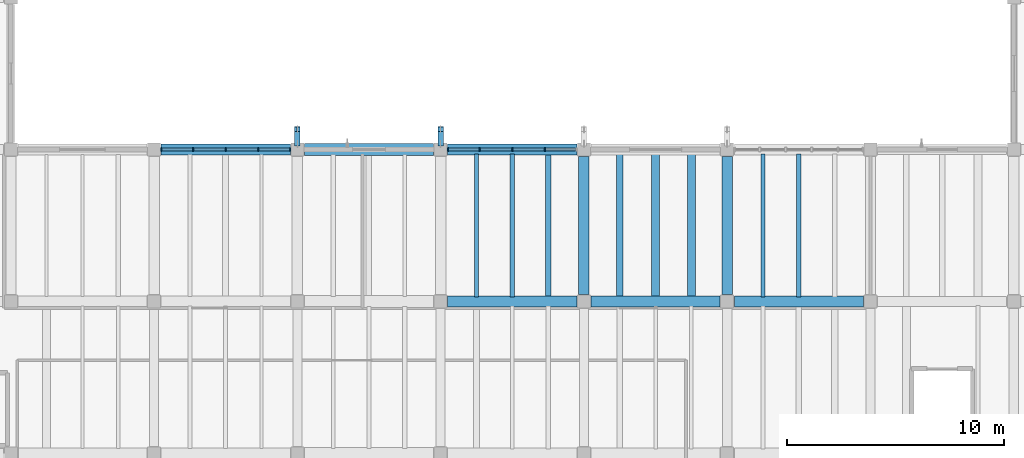
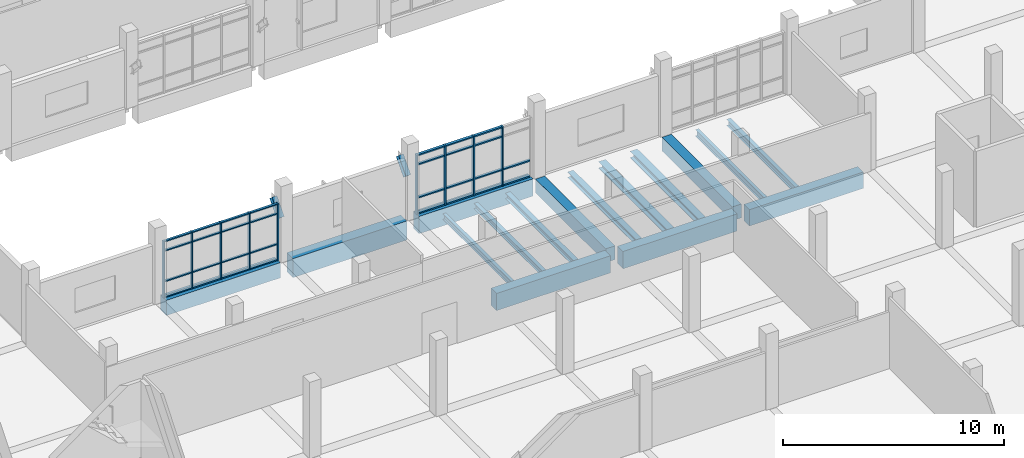
# One storey, part 18 of 68: 41 members, 16 beams, 2 elements without a shape of their own.
"""IFC4 building model written with IfcOpenShell, lengths in metres."""

from ifc_helpers import new_model, si_unit, direction, frame, origin, origin_2d, place, context, subcontext, project, spatial, rectangle, i_section, extrude, material, material_profile, profile_set, type_object, element, aggregate, save


model = new_model("IFC4")

# Units and contexts
model_context = context("Model", 3, precision=1e-05, world=origin(), true_north=direction((0.0, 1.0)))
body_context = subcontext(model_context, "Body", "Model", "MODEL_VIEW")
ifc_project = project(units=[si_unit("LENGTHUNIT", "METRE"), si_unit("AREAUNIT", "SQUARE_METRE"), si_unit("VOLUMEUNIT", "CUBIC_METRE"), si_unit("PLANEANGLEUNIT", "RADIAN"), si_unit("MASSUNIT", "GRAM", prefix="KILO")], contexts=[model_context])

# Site, building, storey
site_placement = place(None, origin())
site = spatial("IfcSite", under=ifc_project, at=site_placement, CompositionType="ELEMENT")
building_placement = place(site_placement, origin())
building = spatial("IfcBuilding", under=site, at=building_placement, Name="Ciguamira Faculty of Natural Sciences", CompositionType="ELEMENT")
storey_placement = place(building_placement, frame((0.0, 0.0, 4.199951171875)))
storey = spatial("IfcBuildingStorey", under=building, at=storey_placement, Name="L01", CompositionType="ELEMENT", Elevation=4.199951171875)

# Curtain wall, members
ifc_material_1 = material(Name="Anodized aluminium curtain wall", Category="aluminium")
curtain_wall_type_1 = type_object("IfcCurtainWallType", Name="CurtainWall_CW-01", PredefinedType="USERDEFINED", material=ifc_material_1)
curtain_wall_1_placement = place(storey_placement, origin())
curtain_wall_1 = element("IfcCurtainWall", 1, at=curtain_wall_1_placement, inside=storey, type_object=curtain_wall_type_1, Name="L01 unitised curtain wall 0037", ObjectType="UNITISED CURTAIN WALL", PredefinedType="USERDEFINED")
ifc_material_2 = material(Name="Anodized aluminium mullion", Category="aluminium")
ifc_material_profile_1 = material_profile(ifc_material_2, rectangle(XDim=0.06005859375, YDim=0.159912109375, at=origin_2d()), Name="ALU-MUL-60X160")
ifc_profile_set_1 = profile_set([ifc_material_profile_1], Name="Anodized aluminium mullion")
member_type_1 = type_object("IfcMemberType", Name="CWMullion_CWM-01", PredefinedType="MULLION", material=ifc_profile_set_1)
member_1_placement = place(storey_placement, frame((70.830078125, 59.0, 0.0), z_axis=(0.0, 0.0, 1.0), x_axis=(1.0, 0.0, 0.0)))
member_1 = element("IfcMember", 2, at=member_1_placement, type_object=member_type_1, Name="CW-01 mullion 1", PredefinedType="MULLION", context=body_context, shape_type="SweptSolid", body=[
    extrude(rectangle(XDim=0.06005859375, YDim=0.159912109375, at=origin_2d()), origin(), (0.0, 0.0, 1.0), 3.135009765625),
])
member_2_placement = place(storey_placement, frame((72.300048828125, 59.0, 0.0), z_axis=(0.0, 0.0, 1.0), x_axis=(1.0, 0.0, 0.0)))
member_2 = element("IfcMember", 3, at=member_2_placement, type_object=member_type_1, Name="CW-01 mullion 2", PredefinedType="MULLION", context=body_context, shape_type="SweptSolid", body=[
    extrude(rectangle(XDim=0.06005859375, YDim=0.159912109375, at=origin_2d()), origin(), (0.0, 0.0, 1.0), 3.135009765625),
])
member_3_placement = place(storey_placement, frame((73.800048828125, 59.0, 0.0), z_axis=(0.0, 0.0, 1.0), x_axis=(1.0, 0.0, 0.0)))
member_3 = element("IfcMember", 4, at=member_3_placement, type_object=member_type_1, Name="CW-01 mullion 3", PredefinedType="MULLION", context=body_context, shape_type="SweptSolid", body=[
    extrude(rectangle(XDim=0.06005859375, YDim=0.159912109375, at=origin_2d()), origin(), (0.0, 0.0, 1.0), 3.135009765625),
])
member_4_placement = place(storey_placement, frame((75.300048828125, 59.0, 0.0), z_axis=(0.0, 0.0, 1.0), x_axis=(1.0, 0.0, 0.0)))
member_4 = element("IfcMember", 5, at=member_4_placement, type_object=member_type_1, Name="CW-01 mullion 4", PredefinedType="MULLION", context=body_context, shape_type="SweptSolid", body=[
    extrude(rectangle(XDim=0.06005859375, YDim=0.159912109375, at=origin_2d()), origin(), (0.0, 0.0, 1.0), 3.135009765625),
])
member_5_placement = place(storey_placement, frame((76.77001953125, 59.0, 0.0), z_axis=(0.0, 0.0, 1.0), x_axis=(1.0, 0.0, 0.0)))
member_5 = element("IfcMember", 6, at=member_5_placement, type_object=member_type_1, Name="CW-01 mullion 5", PredefinedType="MULLION", context=body_context, shape_type="SweptSolid", body=[
    extrude(rectangle(XDim=0.06005859375, YDim=0.159912109375, at=origin_2d()), origin(), (0.0, 0.0, 1.0), 3.135009765625),
])

curtain_wall_type_2 = type_object("IfcCurtainWallType", Name="CurtainWall_CW-02", PredefinedType="USERDEFINED", material=ifc_material_1)
curtain_wall_2_placement = place(storey_placement, origin())
curtain_wall_2 = element("IfcCurtainWall", 7, at=curtain_wall_2_placement, inside=storey, type_object=curtain_wall_type_2, Name="L01 unitised curtain wall 0038", ObjectType="UNITISED CURTAIN WALL", PredefinedType="USERDEFINED")
ifc_material_profile_2 = material_profile(ifc_material_2, rectangle(XDim=0.070068359375, YDim=0.179931640625, at=origin_2d()), Name="ALU-MUL-70X180")
ifc_profile_set_2 = profile_set([ifc_material_profile_2], Name="Anodized aluminium mullion")
member_type_2 = type_object("IfcMemberType", Name="CWMullion_CWM-02", PredefinedType="MULLION", material=ifc_profile_set_2)
member_6_placement = place(storey_placement, frame((84.034912109375, 59.0, 0.0), z_axis=(0.0, 0.0, 1.0), x_axis=(1.0, 0.0, 0.0)))
member_6 = element("IfcMember", 8, at=member_6_placement, type_object=member_type_2, Name="CW-02 mullion 1", PredefinedType="MULLION", context=body_context, shape_type="SweptSolid", body=[
    extrude(rectangle(XDim=0.070068359375, YDim=0.179931640625, at=origin_2d()), origin(), (0.0, 0.0, 1.0), 3.28515625),
])
member_7_placement = place(storey_placement, frame((85.5, 59.0, 0.0), z_axis=(0.0, 0.0, 1.0), x_axis=(1.0, 0.0, 0.0)))
member_7 = element("IfcMember", 9, at=member_7_placement, type_object=member_type_2, Name="CW-02 mullion 2", PredefinedType="MULLION", context=body_context, shape_type="SweptSolid", body=[
    extrude(rectangle(XDim=0.070068359375, YDim=0.179931640625, at=origin_2d()), origin(), (0.0, 0.0, 1.0), 3.28515625),
])
member_8_placement = place(storey_placement, frame((87.0, 59.0, 0.0), z_axis=(0.0, 0.0, 1.0), x_axis=(1.0, 0.0, 0.0)))
member_8 = element("IfcMember", 10, at=member_8_placement, type_object=member_type_2, Name="CW-02 mullion 3", PredefinedType="MULLION", context=body_context, shape_type="SweptSolid", body=[
    extrude(rectangle(XDim=0.070068359375, YDim=0.179931640625, at=origin_2d()), origin(), (0.0, 0.0, 1.0), 3.28515625),
])
member_9_placement = place(storey_placement, frame((88.5, 59.0, 0.0), z_axis=(0.0, 0.0, 1.0), x_axis=(1.0, 0.0, 0.0)))
member_9 = element("IfcMember", 11, at=member_9_placement, type_object=member_type_2, Name="CW-02 mullion 4", PredefinedType="MULLION", context=body_context, shape_type="SweptSolid", body=[
    extrude(rectangle(XDim=0.070068359375, YDim=0.179931640625, at=origin_2d()), origin(), (0.0, 0.0, 1.0), 3.28515625),
])

# Member
ifc_material_3 = material(Name="Anodized aluminium transom", Category="aluminium")
ifc_material_profile_3 = material_profile(ifc_material_3, rectangle(XDim=0.06005859375, YDim=0.1201171875, at=origin_2d()), Name="ALU-TRN-60X120")
ifc_profile_set_3 = profile_set([ifc_material_profile_3], Name="Anodized aluminium transom")
member_type_3 = type_object("IfcMemberType", Name="CWTransom_CWT-01", PredefinedType="USERDEFINED", material=ifc_profile_set_3)
member_10_placement = place(storey_placement, frame((70.860107421875, 59.0, 0.030029296875), z_axis=(1.0, 0.0, 0.0), x_axis=(0.0, 0.0, 1.0)))
member_10 = element("IfcMember", 12, at=member_10_placement, type_object=member_type_3, Name="CW-01 transom 1.1", ObjectType="TRANSOM", PredefinedType="USERDEFINED", context=body_context, shape_type="SweptSolid", body=[
    extrude(rectangle(XDim=0.06005859375, YDim=0.1201171875, at=origin_2d()), origin(), (0.0, 0.0, 1.0), 1.409912109375),
])

member_11_placement = place(storey_placement, frame((70.860107421875, 59.0, 0.900146484375), z_axis=(1.0, 0.0, 0.0), x_axis=(0.0, 0.0, 1.0)))
member_11 = element("IfcMember", 13, at=member_11_placement, type_object=member_type_3, Name="CW-01 transom 1.2", ObjectType="TRANSOM", PredefinedType="USERDEFINED", context=body_context, shape_type="SweptSolid", body=[
    extrude(rectangle(XDim=0.06005859375, YDim=0.1201171875, at=origin_2d()), origin(), (0.0, 0.0, 1.0), 1.409912109375),
])

member_12_placement = place(storey_placement, frame((70.860107421875, 59.0, 2.5849609375), z_axis=(1.0, 0.0, 0.0), x_axis=(0.0, 0.0, 1.0)))
member_12 = element("IfcMember", 14, at=member_12_placement, type_object=member_type_3, Name="CW-01 transom 1.3", ObjectType="TRANSOM", PredefinedType="USERDEFINED", context=body_context, shape_type="SweptSolid", body=[
    extrude(rectangle(XDim=0.06005859375, YDim=0.1201171875, at=origin_2d()), origin(), (0.0, 0.0, 1.0), 1.409912109375),
])

member_13_placement = place(storey_placement, frame((70.860107421875, 59.0, 3.10498046875), z_axis=(1.0, 0.0, 0.0), x_axis=(0.0, 0.0, 1.0)))
member_13 = element("IfcMember", 15, at=member_13_placement, type_object=member_type_3, Name="CW-01 transom 1.4", ObjectType="TRANSOM", PredefinedType="USERDEFINED", context=body_context, shape_type="SweptSolid", body=[
    extrude(rectangle(XDim=0.06005859375, YDim=0.1201171875, at=origin_2d()), origin(), (0.0, 0.0, 1.0), 1.409912109375),
])

member_14_placement = place(storey_placement, frame((72.330078125, 59.0, 0.030029296875), z_axis=(1.0, 0.0, 0.0), x_axis=(0.0, 0.0, 1.0)))
member_14 = element("IfcMember", 16, at=member_14_placement, type_object=member_type_3, Name="CW-01 transom 2.1", ObjectType="TRANSOM", PredefinedType="USERDEFINED", context=body_context, shape_type="SweptSolid", body=[
    extrude(rectangle(XDim=0.06005859375, YDim=0.1201171875, at=origin_2d()), origin(), (0.0, 0.0, 1.0), 1.43994140625),
])

member_15_placement = place(storey_placement, frame((72.330078125, 59.0, 0.900146484375), z_axis=(1.0, 0.0, 0.0), x_axis=(0.0, 0.0, 1.0)))
member_15 = element("IfcMember", 17, at=member_15_placement, type_object=member_type_3, Name="CW-01 transom 2.2", ObjectType="TRANSOM", PredefinedType="USERDEFINED", context=body_context, shape_type="SweptSolid", body=[
    extrude(rectangle(XDim=0.06005859375, YDim=0.1201171875, at=origin_2d()), origin(), (0.0, 0.0, 1.0), 1.43994140625),
])

member_16_placement = place(storey_placement, frame((72.330078125, 59.0, 2.5849609375), z_axis=(1.0, 0.0, 0.0), x_axis=(0.0, 0.0, 1.0)))
member_16 = element("IfcMember", 18, at=member_16_placement, type_object=member_type_3, Name="CW-01 transom 2.3", ObjectType="TRANSOM", PredefinedType="USERDEFINED", context=body_context, shape_type="SweptSolid", body=[
    extrude(rectangle(XDim=0.06005859375, YDim=0.1201171875, at=origin_2d()), origin(), (0.0, 0.0, 1.0), 1.43994140625),
])

member_17_placement = place(storey_placement, frame((72.330078125, 59.0, 3.10498046875), z_axis=(1.0, 0.0, 0.0), x_axis=(0.0, 0.0, 1.0)))
member_17 = element("IfcMember", 19, at=member_17_placement, type_object=member_type_3, Name="CW-01 transom 2.4", ObjectType="TRANSOM", PredefinedType="USERDEFINED", context=body_context, shape_type="SweptSolid", body=[
    extrude(rectangle(XDim=0.06005859375, YDim=0.1201171875, at=origin_2d()), origin(), (0.0, 0.0, 1.0), 1.43994140625),
])

member_18_placement = place(storey_placement, frame((73.830078125, 59.0, 0.030029296875), z_axis=(1.0, 0.0, 0.0), x_axis=(0.0, 0.0, 1.0)))
member_18 = element("IfcMember", 20, at=member_18_placement, type_object=member_type_3, Name="CW-01 transom 3.1", ObjectType="TRANSOM", PredefinedType="USERDEFINED", context=body_context, shape_type="SweptSolid", body=[
    extrude(rectangle(XDim=0.06005859375, YDim=0.1201171875, at=origin_2d()), origin(), (0.0, 0.0, 1.0), 1.43994140625),
])

member_19_placement = place(storey_placement, frame((73.830078125, 59.0, 0.900146484375), z_axis=(1.0, 0.0, 0.0), x_axis=(0.0, 0.0, 1.0)))
member_19 = element("IfcMember", 21, at=member_19_placement, type_object=member_type_3, Name="CW-01 transom 3.2", ObjectType="TRANSOM", PredefinedType="USERDEFINED", context=body_context, shape_type="SweptSolid", body=[
    extrude(rectangle(XDim=0.06005859375, YDim=0.1201171875, at=origin_2d()), origin(), (0.0, 0.0, 1.0), 1.43994140625),
])

member_20_placement = place(storey_placement, frame((73.830078125, 59.0, 2.5849609375), z_axis=(1.0, 0.0, 0.0), x_axis=(0.0, 0.0, 1.0)))
member_20 = element("IfcMember", 22, at=member_20_placement, type_object=member_type_3, Name="CW-01 transom 3.3", ObjectType="TRANSOM", PredefinedType="USERDEFINED", context=body_context, shape_type="SweptSolid", body=[
    extrude(rectangle(XDim=0.06005859375, YDim=0.1201171875, at=origin_2d()), origin(), (0.0, 0.0, 1.0), 1.43994140625),
])

member_21_placement = place(storey_placement, frame((73.830078125, 59.0, 3.10498046875), z_axis=(1.0, 0.0, 0.0), x_axis=(0.0, 0.0, 1.0)))
member_21 = element("IfcMember", 23, at=member_21_placement, type_object=member_type_3, Name="CW-01 transom 3.4", ObjectType="TRANSOM", PredefinedType="USERDEFINED", context=body_context, shape_type="SweptSolid", body=[
    extrude(rectangle(XDim=0.06005859375, YDim=0.1201171875, at=origin_2d()), origin(), (0.0, 0.0, 1.0), 1.43994140625),
])

member_22_placement = place(storey_placement, frame((75.330078125, 59.0, 0.030029296875), z_axis=(1.0, 0.0, 0.0), x_axis=(0.0, 0.0, 1.0)))
member_22 = element("IfcMember", 24, at=member_22_placement, type_object=member_type_3, Name="CW-01 transom 4.1", ObjectType="TRANSOM", PredefinedType="USERDEFINED", context=body_context, shape_type="SweptSolid", body=[
    extrude(rectangle(XDim=0.06005859375, YDim=0.1201171875, at=origin_2d()), origin(), (0.0, 0.0, 1.0), 1.409912109375),
])

member_23_placement = place(storey_placement, frame((75.330078125, 59.0, 0.900146484375), z_axis=(1.0, 0.0, 0.0), x_axis=(0.0, 0.0, 1.0)))
member_23 = element("IfcMember", 25, at=member_23_placement, type_object=member_type_3, Name="CW-01 transom 4.2", ObjectType="TRANSOM", PredefinedType="USERDEFINED", context=body_context, shape_type="SweptSolid", body=[
    extrude(rectangle(XDim=0.06005859375, YDim=0.1201171875, at=origin_2d()), origin(), (0.0, 0.0, 1.0), 1.409912109375),
])

member_24_placement = place(storey_placement, frame((75.330078125, 59.0, 2.5849609375), z_axis=(1.0, 0.0, 0.0), x_axis=(0.0, 0.0, 1.0)))
member_24 = element("IfcMember", 26, at=member_24_placement, type_object=member_type_3, Name="CW-01 transom 4.3", ObjectType="TRANSOM", PredefinedType="USERDEFINED", context=body_context, shape_type="SweptSolid", body=[
    extrude(rectangle(XDim=0.06005859375, YDim=0.1201171875, at=origin_2d()), origin(), (0.0, 0.0, 1.0), 1.409912109375),
])

member_25_placement = place(storey_placement, frame((75.330078125, 59.0, 3.10498046875), z_axis=(1.0, 0.0, 0.0), x_axis=(0.0, 0.0, 1.0)))
member_25 = element("IfcMember", 27, at=member_25_placement, type_object=member_type_3, Name="CW-01 transom 4.4", ObjectType="TRANSOM", PredefinedType="USERDEFINED", context=body_context, shape_type="SweptSolid", body=[
    extrude(rectangle(XDim=0.06005859375, YDim=0.1201171875, at=origin_2d()), origin(), (0.0, 0.0, 1.0), 1.409912109375),
])

aggregate(curtain_wall_1, [member_1, member_2, member_3, member_4, member_5, member_10, member_11, member_12, member_13, member_14, member_15, member_16, member_17, member_18, member_19, member_20, member_21, member_22, member_23, member_24, member_25])

ifc_material_profile_4 = material_profile(ifc_material_3, rectangle(XDim=0.070068359375, YDim=0.139892578125, at=origin_2d()), Name="ALU-TRN-70X140")
ifc_profile_set_4 = profile_set([ifc_material_profile_4], Name="Anodized aluminium transom")
member_type_4 = type_object("IfcMemberType", Name="CWTransom_CWT-02", PredefinedType="USERDEFINED", material=ifc_profile_set_4)
member_26_placement = place(storey_placement, frame((84.070068359375, 59.0, 0.03515625), z_axis=(1.0, 0.0, 0.0), x_axis=(0.0, 0.0, 1.0)))
member_26 = element("IfcMember", 28, at=member_26_placement, type_object=member_type_4, Name="CW-02 transom 1.1", ObjectType="TRANSOM", PredefinedType="USERDEFINED", context=body_context, shape_type="SweptSolid", body=[
    extrude(rectangle(XDim=0.070068359375, YDim=0.139892578125, at=origin_2d()), origin(), (0.0, 0.0, 1.0), 1.39501953125),
])

member_27_placement = place(storey_placement, frame((84.070068359375, 59.0, 0.900146484375), z_axis=(1.0, 0.0, 0.0), x_axis=(0.0, 0.0, 1.0)))
member_27 = element("IfcMember", 29, at=member_27_placement, type_object=member_type_4, Name="CW-02 transom 1.2", ObjectType="TRANSOM", PredefinedType="USERDEFINED", context=body_context, shape_type="SweptSolid", body=[
    extrude(rectangle(XDim=0.070068359375, YDim=0.139892578125, at=origin_2d()), origin(), (0.0, 0.0, 1.0), 1.39501953125),
])

member_28_placement = place(storey_placement, frame((84.070068359375, 59.0, 2.735107421875), z_axis=(1.0, 0.0, 0.0), x_axis=(0.0, 0.0, 1.0)))
member_28 = element("IfcMember", 30, at=member_28_placement, type_object=member_type_4, Name="CW-02 transom 1.3", ObjectType="TRANSOM", PredefinedType="USERDEFINED", context=body_context, shape_type="SweptSolid", body=[
    extrude(rectangle(XDim=0.070068359375, YDim=0.139892578125, at=origin_2d()), origin(), (0.0, 0.0, 1.0), 1.39501953125),
])

member_29_placement = place(storey_placement, frame((84.070068359375, 59.0, 3.25), z_axis=(1.0, 0.0, 0.0), x_axis=(0.0, 0.0, 1.0)))
member_29 = element("IfcMember", 31, at=member_29_placement, type_object=member_type_4, Name="CW-02 transom 1.4", ObjectType="TRANSOM", PredefinedType="USERDEFINED", context=body_context, shape_type="SweptSolid", body=[
    extrude(rectangle(XDim=0.070068359375, YDim=0.139892578125, at=origin_2d()), origin(), (0.0, 0.0, 1.0), 1.39501953125),
])

member_30_placement = place(storey_placement, frame((85.534912109375, 59.0, 0.03515625), z_axis=(1.0, 0.0, 0.0), x_axis=(0.0, 0.0, 1.0)))
member_30 = element("IfcMember", 32, at=member_30_placement, type_object=member_type_4, Name="CW-02 transom 2.1", ObjectType="TRANSOM", PredefinedType="USERDEFINED", context=body_context, shape_type="SweptSolid", body=[
    extrude(rectangle(XDim=0.070068359375, YDim=0.139892578125, at=origin_2d()), origin(), (0.0, 0.0, 1.0), 1.43017578125),
])

member_31_placement = place(storey_placement, frame((85.534912109375, 59.0, 0.900146484375), z_axis=(1.0, 0.0, 0.0), x_axis=(0.0, 0.0, 1.0)))
member_31 = element("IfcMember", 33, at=member_31_placement, type_object=member_type_4, Name="CW-02 transom 2.2", ObjectType="TRANSOM", PredefinedType="USERDEFINED", context=body_context, shape_type="SweptSolid", body=[
    extrude(rectangle(XDim=0.070068359375, YDim=0.139892578125, at=origin_2d()), origin(), (0.0, 0.0, 1.0), 1.43017578125),
])

member_32_placement = place(storey_placement, frame((85.534912109375, 59.0, 2.735107421875), z_axis=(1.0, 0.0, 0.0), x_axis=(0.0, 0.0, 1.0)))
member_32 = element("IfcMember", 34, at=member_32_placement, type_object=member_type_4, Name="CW-02 transom 2.3", ObjectType="TRANSOM", PredefinedType="USERDEFINED", context=body_context, shape_type="SweptSolid", body=[
    extrude(rectangle(XDim=0.070068359375, YDim=0.139892578125, at=origin_2d()), origin(), (0.0, 0.0, 1.0), 1.43017578125),
])

member_33_placement = place(storey_placement, frame((85.534912109375, 59.0, 3.25), z_axis=(1.0, 0.0, 0.0), x_axis=(0.0, 0.0, 1.0)))
member_33 = element("IfcMember", 35, at=member_33_placement, type_object=member_type_4, Name="CW-02 transom 2.4", ObjectType="TRANSOM", PredefinedType="USERDEFINED", context=body_context, shape_type="SweptSolid", body=[
    extrude(rectangle(XDim=0.070068359375, YDim=0.139892578125, at=origin_2d()), origin(), (0.0, 0.0, 1.0), 1.43017578125),
])

member_34_placement = place(storey_placement, frame((87.034912109375, 59.0, 0.03515625), z_axis=(1.0, 0.0, 0.0), x_axis=(0.0, 0.0, 1.0)))
member_34 = element("IfcMember", 36, at=member_34_placement, type_object=member_type_4, Name="CW-02 transom 3.1", ObjectType="TRANSOM", PredefinedType="USERDEFINED", context=body_context, shape_type="SweptSolid", body=[
    extrude(rectangle(XDim=0.070068359375, YDim=0.139892578125, at=origin_2d()), origin(), (0.0, 0.0, 1.0), 1.43017578125),
])

member_35_placement = place(storey_placement, frame((87.034912109375, 59.0, 0.900146484375), z_axis=(1.0, 0.0, 0.0), x_axis=(0.0, 0.0, 1.0)))
member_35 = element("IfcMember", 37, at=member_35_placement, type_object=member_type_4, Name="CW-02 transom 3.2", ObjectType="TRANSOM", PredefinedType="USERDEFINED", context=body_context, shape_type="SweptSolid", body=[
    extrude(rectangle(XDim=0.070068359375, YDim=0.139892578125, at=origin_2d()), origin(), (0.0, 0.0, 1.0), 1.43017578125),
])

member_36_placement = place(storey_placement, frame((87.034912109375, 59.0, 2.735107421875), z_axis=(1.0, 0.0, 0.0), x_axis=(0.0, 0.0, 1.0)))
member_36 = element("IfcMember", 38, at=member_36_placement, type_object=member_type_4, Name="CW-02 transom 3.3", ObjectType="TRANSOM", PredefinedType="USERDEFINED", context=body_context, shape_type="SweptSolid", body=[
    extrude(rectangle(XDim=0.070068359375, YDim=0.139892578125, at=origin_2d()), origin(), (0.0, 0.0, 1.0), 1.43017578125),
])

member_37_placement = place(storey_placement, frame((87.034912109375, 59.0, 3.25), z_axis=(1.0, 0.0, 0.0), x_axis=(0.0, 0.0, 1.0)))
member_37 = element("IfcMember", 39, at=member_37_placement, type_object=member_type_4, Name="CW-02 transom 3.4", ObjectType="TRANSOM", PredefinedType="USERDEFINED", context=body_context, shape_type="SweptSolid", body=[
    extrude(rectangle(XDim=0.070068359375, YDim=0.139892578125, at=origin_2d()), origin(), (0.0, 0.0, 1.0), 1.43017578125),
])

member_38_placement = place(storey_placement, frame((88.534912109375, 59.0, 0.03515625), z_axis=(1.0, 0.0, 0.0), x_axis=(0.0, 0.0, 1.0)))
member_38 = element("IfcMember", 40, at=member_38_placement, type_object=member_type_4, Name="CW-02 transom 4.1", ObjectType="TRANSOM", PredefinedType="USERDEFINED", context=body_context, shape_type="SweptSolid", body=[
    extrude(rectangle(XDim=0.070068359375, YDim=0.139892578125, at=origin_2d()), origin(), (0.0, 0.0, 1.0), 1.39501953125),
])

member_39_placement = place(storey_placement, frame((88.534912109375, 59.0, 0.900146484375), z_axis=(1.0, 0.0, 0.0), x_axis=(0.0, 0.0, 1.0)))
member_39 = element("IfcMember", 41, at=member_39_placement, type_object=member_type_4, Name="CW-02 transom 4.2", ObjectType="TRANSOM", PredefinedType="USERDEFINED", context=body_context, shape_type="SweptSolid", body=[
    extrude(rectangle(XDim=0.070068359375, YDim=0.139892578125, at=origin_2d()), origin(), (0.0, 0.0, 1.0), 1.39501953125),
])

aggregate(curtain_wall_2, [member_6, member_7, member_8, member_9, member_26, member_27, member_28, member_29, member_30, member_31, member_32, member_33, member_34, member_35, member_36, member_37, member_38, member_39])

# Beams
ifc_material_4 = material(Name="Concrete C40/50", Category="concrete")
ifc_material_profile_5 = material_profile(ifc_material_4, rectangle(XDim=0.550048828125, YDim=1.050048828125, at=origin_2d()), Name="RC-BM-550X1050")
ifc_profile_set_5 = profile_set([ifc_material_profile_5], Name="Concrete C40/50")
beam_type_1 = type_object("IfcBeamType", Name="RCBeam_BG-01_RC-BM-550X1050", PredefinedType="BEAM", material=ifc_profile_set_5)
beam_1_placement = place(storey_placement, frame((77.425048828125, 59.0, -0.52490234375), z_axis=(1.0, 0.0, 0.0), x_axis=(0.0, 1.0, 0.0)))
element("IfcBeam", 42, at=beam_1_placement, inside=storey, type_object=beam_type_1, Name="L01 RC girder EW-0478", PredefinedType="BEAM", context=body_context, shape_type="SweptSolid", body=[
    extrude(rectangle(XDim=0.550048828125, YDim=1.050048828125, at=origin_2d()), origin(), (0.0, 0.0, 1.0), 5.949951171875),
])
ifc_material_profile_6 = material_profile(ifc_material_4, rectangle(XDim=0.5, YDim=0.949951171875, at=origin_2d()), Name="RC-BM-500X950")
ifc_profile_set_6 = profile_set([ifc_material_profile_6], Name="Concrete C40/50")
beam_type_2 = type_object("IfcBeamType", Name="RCBeam_BG-02_RC-BM-500X950", PredefinedType="BEAM", material=ifc_profile_set_6)
beam_2_placement = place(storey_placement, frame((84.02490234375, 52.0, -0.474853515625), z_axis=(1.0, 0.0, 0.0), x_axis=(0.0, 1.0, 0.0)))
element("IfcBeam", 43, at=beam_2_placement, inside=storey, type_object=beam_type_2, Name="L01 RC girder EW-0470", PredefinedType="BEAM", context=body_context, shape_type="SweptSolid", body=[
    extrude(rectangle(XDim=0.5, YDim=0.949951171875, at=origin_2d()), origin(), (0.0, 0.0, 1.0), 5.9501953125),
])
beam_3_placement = place(storey_placement, frame((90.625, 52.0, -0.474853515625), z_axis=(1.0, 0.0, 0.0), x_axis=(0.0, 1.0, 0.0)))
element("IfcBeam", 44, at=beam_3_placement, inside=storey, type_object=beam_type_2, Name="L01 RC girder EW-0471", PredefinedType="BEAM", context=body_context, shape_type="SweptSolid", body=[
    extrude(rectangle(XDim=0.5, YDim=0.949951171875, at=origin_2d()), origin(), (0.0, 0.0, 1.0), 5.949951171875),
])
beam_4_placement = place(storey_placement, frame((84.02490234375, 59.0, -0.474853515625), z_axis=(1.0, 0.0, 0.0), x_axis=(0.0, 1.0, 0.0)))
element("IfcBeam", 45, at=beam_4_placement, inside=storey, type_object=beam_type_2, Name="L01 RC girder EW-0479", PredefinedType="BEAM", context=body_context, shape_type="SweptSolid", body=[
    extrude(rectangle(XDim=0.5, YDim=0.949951171875, at=origin_2d()), origin(), (0.0, 0.0, 1.0), 5.9501953125),
])
ifc_material_profile_7 = material_profile(ifc_material_4, rectangle(XDim=0.5, YDim=0.89990234375, at=origin_2d()), Name="RC-BM-500X900")
ifc_profile_set_7 = profile_set([ifc_material_profile_7], Name="Concrete C40/50")
beam_type_3 = type_object("IfcBeamType", Name="RCBeam_BG-03_RC-BM-500X900", PredefinedType="BEAM", material=ifc_profile_set_7)
beam_5_placement = place(storey_placement, frame((97.22509765625, 52.0, -0.449951171875), z_axis=(1.0, 0.0, 0.0), x_axis=(0.0, 1.0, 0.0)))
element("IfcBeam", 46, at=beam_5_placement, inside=storey, type_object=beam_type_3, Name="L01 RC girder EW-0472", PredefinedType="BEAM", context=body_context, shape_type="SweptSolid", body=[
    extrude(rectangle(XDim=0.5, YDim=0.89990234375, at=origin_2d()), origin(), (0.0, 0.0, 1.0), 5.949951171875),
])
ifc_material_profile_8 = material_profile(ifc_material_4, rectangle(XDim=0.47998046875, YDim=0.760009765625, at=origin_2d()), Name="RC-TB-480X760")
ifc_profile_set_8 = profile_set([ifc_material_profile_8], Name="Concrete C40/50")
beam_type_4 = type_object("IfcBeamType", Name="RCBeam_TB-01_RC-TB-480X760", PredefinedType="T_BEAM", material=ifc_profile_set_8)
for number, where, z_axis, x_axis, name in (
    (47, (90.300048828125, 52.324951171875, -0.3798828125), (0.0, 1.0, 0.0), (-1.0, 0.0, 0.0), "L01 girder NS-0635"),
    (48, (96.89990234375, 52.324951171875, -0.3798828125), (0.0, 1.0, 0.0), (-1.0, 0.0, 0.0), "L01 girder NS-0647"),
):
    element("IfcBeam", number, at=place(storey_placement, frame(where, z_axis=z_axis, x_axis=x_axis)), inside=storey, type_object=beam_type_4, Name=name, PredefinedType="T_BEAM", context=body_context, shape_type="SweptSolid", body=[
        extrude(rectangle(XDim=0.47998046875, YDim=0.760009765625, at=origin_2d()), origin(), (0.0, 0.0, 1.0), 6.35009765625),
    ])
ifc_material_profile_9 = material_profile(ifc_material_4, rectangle(XDim=0.52001953125, YDim=0.840087890625, at=origin_2d()), Name="RC-TB-520X840")
ifc_profile_set_9 = profile_set([ifc_material_profile_9], Name="Concrete C40/50")
beam_type_5 = type_object("IfcBeamType", Name="RCBeam_TB-02_RC-TB-520X840", PredefinedType="T_BEAM", material=ifc_profile_set_9)
beam_6_placement = place(storey_placement, frame((70.824951171875, 59.0, -0.419921875), z_axis=(1.0, 0.0, 0.0), x_axis=(0.0, 1.0, 0.0)))
element("IfcBeam", 49, at=beam_6_placement, inside=storey, type_object=beam_type_5, Name="L01 RC girder EW-0477", PredefinedType="T_BEAM", context=body_context, shape_type="SweptSolid", body=[
    extrude(rectangle(XDim=0.52001953125, YDim=0.840087890625, at=origin_2d()), origin(), (0.0, 0.0, 1.0), 5.949951171875),
])
ifc_material_5 = material(Name="Steel ASTM A992 Grade 50", Category="steel")
ifc_material_profile_10 = material_profile(ifc_material_5, i_section(OverallWidth=0.16650390625, OverallDepth=0.3173828125, WebThickness=0.007568359375, FlangeThickness=0.01318359375, at=origin_2d()), Name="W12X35")
ifc_profile_set_10 = profile_set([ifc_material_profile_10], Name="Steel ASTM A992 Grade 50")
beam_type_6 = type_object("IfcBeamType", Name="SteelJoist_SJ-05_W12X35", PredefinedType="JOIST", material=ifc_profile_set_10)
beam_7_placement = place(storey_placement, frame((85.35009765625, 52.2099609375, -0.438720703125), z_axis=(0.0, 1.0, 0.0), x_axis=(-1.0, 0.0, 0.0)))
element("IfcBeam", 50, at=beam_7_placement, inside=storey, type_object=beam_type_6, Name="L01 composite steel joist 00503", PredefinedType="JOIST", context=body_context, shape_type="SweptSolid", body=[
    extrude(i_section(OverallWidth=0.16650390625, OverallDepth=0.3173828125, WebThickness=0.007568359375, FlangeThickness=0.01318359375, at=origin_2d()), origin(), (0.0, 0.0, 1.0), 6.580078125),
])
ifc_material_profile_11 = material_profile(ifc_material_5, i_section(OverallWidth=0.20458984375, OverallDepth=0.307373046875, WebThickness=0.008544921875, FlangeThickness=0.0146484375, at=origin_2d()), Name="W12X45")
ifc_profile_set_11 = profile_set([ifc_material_profile_11], Name="Steel ASTM A992 Grade 50")
beam_type_7 = type_object("IfcBeamType", Name="SteelJoist_SJ-06_W12X45", PredefinedType="JOIST", material=ifc_profile_set_11)
beam_8_placement = place(storey_placement, frame((87.0, 52.2099609375, -0.43359375), z_axis=(0.0, 1.0, 0.0), x_axis=(-1.0, 0.0, 0.0)))
element("IfcBeam", 51, at=beam_8_placement, inside=storey, type_object=beam_type_7, Name="L01 composite steel joist 00504", PredefinedType="JOIST", context=body_context, shape_type="SweptSolid", body=[
    extrude(i_section(OverallWidth=0.20458984375, OverallDepth=0.307373046875, WebThickness=0.008544921875, FlangeThickness=0.0146484375, at=origin_2d()), origin(), (0.0, 0.0, 1.0), 6.580078125),
])
ifc_material_profile_12 = material_profile(ifc_material_5, i_section(OverallWidth=0.25390625, OverallDepth=0.307373046875, WebThickness=0.0087890625, FlangeThickness=0.0146484375, at=origin_2d()), Name="W12X53")
ifc_profile_set_12 = profile_set([ifc_material_profile_12], Name="Steel ASTM A992 Grade 50")
beam_type_8 = type_object("IfcBeamType", Name="SteelJoist_SJ-07_W12X53", PredefinedType="JOIST", material=ifc_profile_set_12)
beam_9_placement = place(storey_placement, frame((88.64990234375, 52.2099609375, -0.43359375), z_axis=(0.0, 1.0, 0.0), x_axis=(-1.0, 0.0, 0.0)))
element("IfcBeam", 52, at=beam_9_placement, inside=storey, type_object=beam_type_8, Name="L01 composite steel joist 00505", PredefinedType="JOIST", context=body_context, shape_type="SweptSolid", body=[
    extrude(i_section(OverallWidth=0.25390625, OverallDepth=0.307373046875, WebThickness=0.0087890625, FlangeThickness=0.0146484375, at=origin_2d()), origin(), (0.0, 0.0, 1.0), 6.580078125),
])
ifc_material_profile_13 = material_profile(ifc_material_5, i_section(OverallWidth=0.3046875, OverallDepth=0.307373046875, WebThickness=0.010009765625, FlangeThickness=0.015380859375, at=origin_2d()), Name="W12X65")
ifc_profile_set_13 = profile_set([ifc_material_profile_13], Name="Steel ASTM A992 Grade 50")
beam_type_9 = type_object("IfcBeamType", Name="SteelJoist_SJ-08_W12X65", PredefinedType="JOIST", material=ifc_profile_set_13)
beam_10_placement = place(storey_placement, frame((91.949951171875, 52.2099609375, -0.43359375), z_axis=(0.0, 1.0, 0.0), x_axis=(-1.0, 0.0, 0.0)))
element("IfcBeam", 53, at=beam_10_placement, inside=storey, type_object=beam_type_9, Name="L01 composite steel joist 00528", PredefinedType="JOIST", context=body_context, shape_type="SweptSolid", body=[
    extrude(i_section(OverallWidth=0.3046875, OverallDepth=0.307373046875, WebThickness=0.010009765625, FlangeThickness=0.015380859375, at=origin_2d()), origin(), (0.0, 0.0, 1.0), 6.580078125),
])
ifc_material_profile_14 = material_profile(ifc_material_5, i_section(OverallWidth=0.370849609375, OverallDepth=0.36328125, WebThickness=0.013427734375, FlangeThickness=0.021728515625, at=origin_2d()), Name="W14X109")
ifc_profile_set_14 = profile_set([ifc_material_profile_14], Name="Steel ASTM A992 Grade 50")
beam_type_10 = type_object("IfcBeamType", Name="SteelJoist_SJ-09_W14X109", PredefinedType="JOIST", material=ifc_profile_set_14)
beam_11_placement = place(storey_placement, frame((93.60009765625, 52.2099609375, -0.461669921875), z_axis=(0.0, 1.0, 0.0), x_axis=(-1.0, 0.0, 0.0)))
element("IfcBeam", 54, at=beam_11_placement, inside=storey, type_object=beam_type_10, Name="L01 composite steel joist 00529", PredefinedType="JOIST", context=body_context, shape_type="SweptSolid", body=[
    extrude(i_section(OverallWidth=0.370849609375, OverallDepth=0.36328125, WebThickness=0.013427734375, FlangeThickness=0.021728515625, at=origin_2d()), origin(), (0.0, 0.0, 1.0), 6.580078125),
])
ifc_material_profile_15 = material_profile(ifc_material_5, i_section(OverallWidth=0.373291015625, OverallDepth=0.373291015625, WebThickness=0.016357421875, FlangeThickness=0.026123046875, at=origin_2d()), Name="W14X132")
ifc_profile_set_15 = profile_set([ifc_material_profile_15], Name="Steel ASTM A992 Grade 50")
beam_type_11 = type_object("IfcBeamType", Name="SteelJoist_SJ-10_W14X132", PredefinedType="JOIST", material=ifc_profile_set_15)
beam_12_placement = place(storey_placement, frame((95.25, 52.2099609375, -0.466552734375), z_axis=(0.0, 1.0, 0.0), x_axis=(-1.0, 0.0, 0.0)))
element("IfcBeam", 55, at=beam_12_placement, inside=storey, type_object=beam_type_11, Name="L01 composite steel joist 00530", PredefinedType="JOIST", context=body_context, shape_type="SweptSolid", body=[
    extrude(i_section(OverallWidth=0.373291015625, OverallDepth=0.373291015625, WebThickness=0.016357421875, FlangeThickness=0.026123046875, at=origin_2d()), origin(), (0.0, 0.0, 1.0), 6.580078125),
])
ifc_material_profile_16 = material_profile(ifc_material_5, i_section(OverallWidth=0.1708984375, OverallDepth=0.3505859375, WebThickness=0.0068359375, FlangeThickness=0.009765625, at=origin_2d()), Name="W14X30")
ifc_profile_set_16 = profile_set([ifc_material_profile_16], Name="Steel ASTM A992 Grade 50")
beam_type_12 = type_object("IfcBeamType", Name="SteelJoist_SJ-11_W14X30", PredefinedType="JOIST", material=ifc_profile_set_16)
beam_13_placement = place(storey_placement, frame((98.550048828125, 52.2099609375, -0.455322265625), z_axis=(0.0, 1.0, 0.0), x_axis=(-1.0, 0.0, 0.0)))
element("IfcBeam", 56, at=beam_13_placement, inside=storey, type_object=beam_type_12, Name="L01 composite steel joist 00554", PredefinedType="JOIST", context=body_context, shape_type="SweptSolid", body=[
    extrude(i_section(OverallWidth=0.1708984375, OverallDepth=0.3505859375, WebThickness=0.0068359375, FlangeThickness=0.009765625, at=origin_2d()), origin(), (0.0, 0.0, 1.0), 6.580078125),
])
ifc_material_profile_17 = material_profile(ifc_material_5, i_section(OverallWidth=0.203125, OverallDepth=0.347900390625, WebThickness=0.0078125, FlangeThickness=0.013427734375, at=origin_2d()), Name="W14X43")
ifc_profile_set_17 = profile_set([ifc_material_profile_17], Name="Steel ASTM A992 Grade 50")
beam_type_13 = type_object("IfcBeamType", Name="SteelJoist_SJ-12_W14X43", PredefinedType="JOIST", material=ifc_profile_set_17)
beam_14_placement = place(storey_placement, frame((100.199951171875, 52.2099609375, -0.453857421875), z_axis=(0.0, 1.0, 0.0), x_axis=(-1.0, 0.0, 0.0)))
element("IfcBeam", 57, at=beam_14_placement, inside=storey, type_object=beam_type_13, Name="L01 composite steel joist 00555", PredefinedType="JOIST", context=body_context, shape_type="SweptSolid", body=[
    extrude(i_section(OverallWidth=0.203125, OverallDepth=0.347900390625, WebThickness=0.0078125, FlangeThickness=0.013427734375, at=origin_2d()), origin(), (0.0, 0.0, 1.0), 6.580078125),
])

# Members
ifc_material_profile_18 = material_profile(ifc_material_5, i_section(OverallWidth=0.25390625, OverallDepth=0.307373046875, WebThickness=0.0087890625, FlangeThickness=0.0146484375, at=origin_2d()), Name="W12X53")
ifc_profile_set_18 = profile_set([ifc_material_profile_18], Name="Steel ASTM A992 Grade 50")
member_type_5 = type_object("IfcMemberType", Name="SteelMember_TS-02_W12X53", PredefinedType="STRUT", material=ifc_profile_set_18)
for number, where, z_axis, x_axis, name in (
    (58, (77.10009765625, 59.27490234375, 2.034423828125), (0.0, 0.660716022942, 0.750635955059), (-1.0, 0.0, 0.0), "Link bridge BR-1 s corbel knee strut 1"),
    (59, (83.699951171875, 59.27490234375, 2.034423828125), (0.0, 0.660716022942, 0.750635955059), (-1.0, 0.0, 0.0), "Link bridge BR-1 s corbel knee strut 2"),
):
    element("IfcMember", number, at=place(storey_placement, frame(where, z_axis=z_axis, x_axis=x_axis)), inside=storey, type_object=member_type_5, Name=name, PredefinedType="STRUT", context=body_context, shape_type="SweptSolid", body=[
        extrude(i_section(OverallWidth=0.25390625, OverallDepth=0.307373046875, WebThickness=0.0087890625, FlangeThickness=0.0146484375, at=origin_2d()), origin(), (0.0, 0.0, 1.0), 0.999267578125),
    ])

save(model, "model.ifc")
